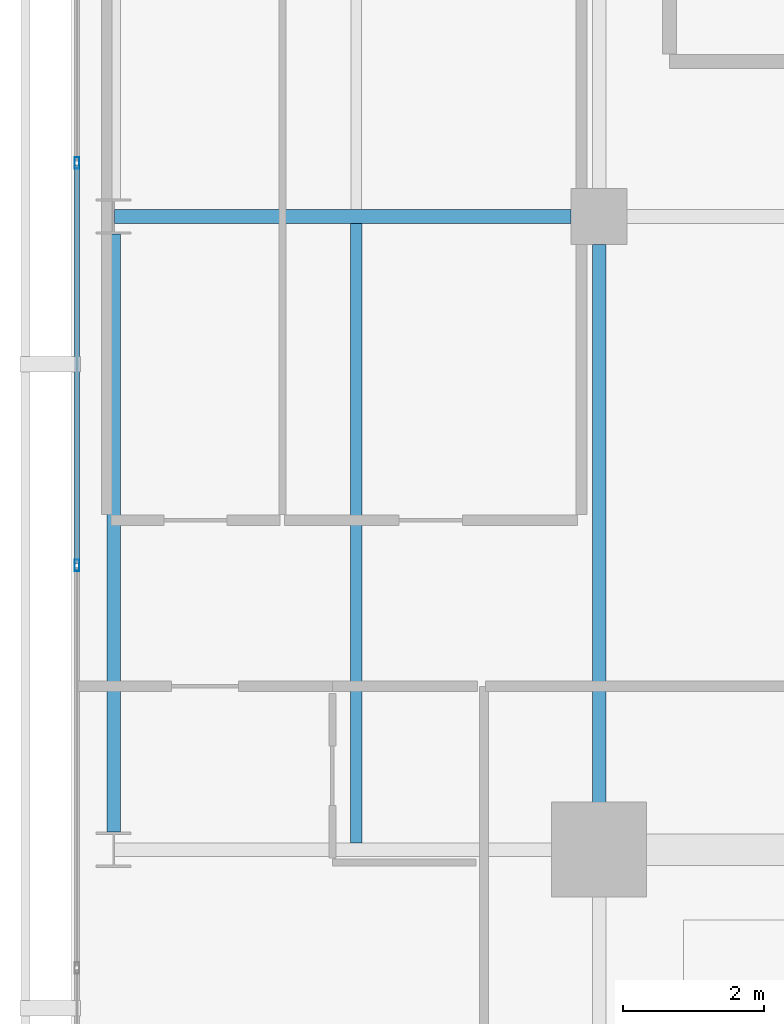
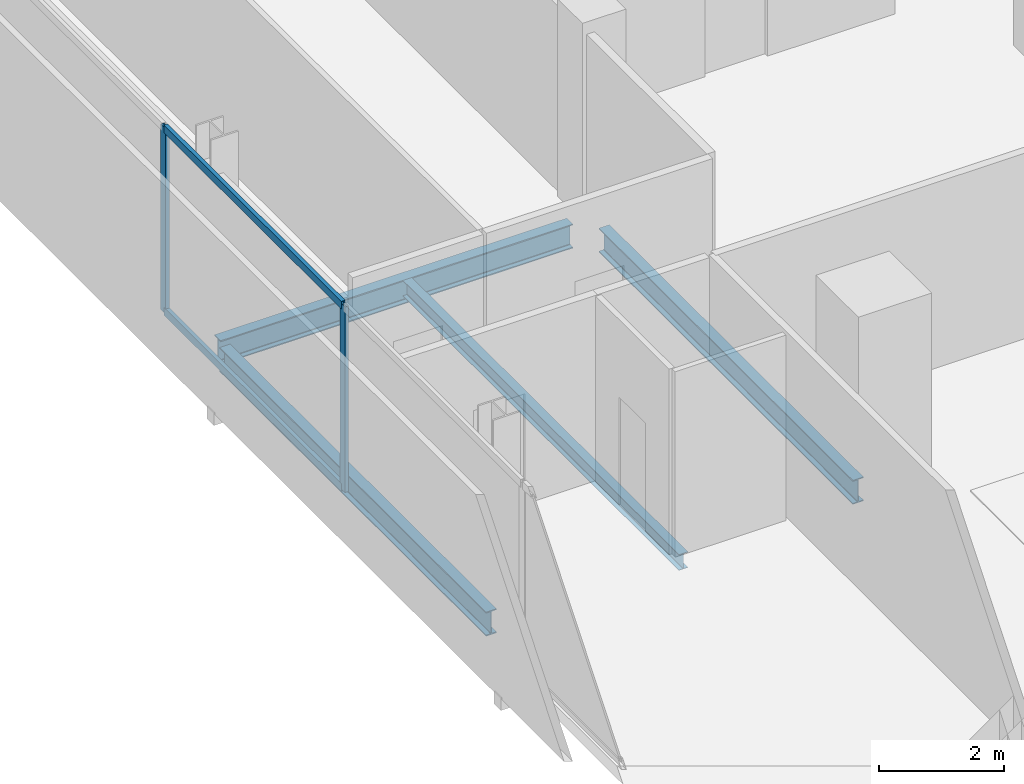
# One storey, part 7 of 23: 4 beams, 4 members, 1 element without a shape of its own.
"""IFC4 building model written with IfcOpenShell, lengths in metres."""

from ifc_helpers import new_model, si_unit, direction, frame, origin, origin_2d, place, context, subcontext, project, spatial, hollow_rectangle, i_section, extrude, material, layer, layer_set, material_profile, profile_set, type_object, element, aggregate, save


model = new_model("IFC4")

# Units and contexts
model_context = context("Model", 3, precision=1e-05, world=origin(), true_north=direction((0.0, 1.0)))
body_context = subcontext(model_context, "Body", "Model", "MODEL_VIEW")
ifc_project = project(units=[si_unit("LENGTHUNIT", "METRE"), si_unit("AREAUNIT", "SQUARE_METRE"), si_unit("VOLUMEUNIT", "CUBIC_METRE"), si_unit("PLANEANGLEUNIT", "RADIAN"), si_unit("MASSUNIT", "GRAM", prefix="KILO")], contexts=[model_context])

# Site, building, storey
site_placement = place(None, origin())
site = spatial("IfcSite", under=ifc_project, at=site_placement, CompositionType="ELEMENT")
building_placement = place(site_placement, origin())
building = spatial("IfcBuilding", under=site, at=building_placement, Name="Maruvema Waterfront Hotel and Observation Tower", CompositionType="ELEMENT")
storey_placement = place(building_placement, frame((0.0, 0.0, 341.25)))
storey = spatial("IfcBuildingStorey", under=building, at=storey_placement, Name="L84", CompositionType="ELEMENT", Elevation=341.25)

# Curtain wall, members
ifc_material_1 = material(Name="Anodised bronze aluminium and solar-control low-E IGU", Category="aluminium")
ifc_layer = layer(ifc_material_1, 0.159912109375, Name="Zone 4 Sky Residence Inner Curtain Wall System CW-05")
ifc_layer_set = layer_set([ifc_layer], Name="Anodised bronze aluminium and solar-control low-E IGU")
curtain_wall_type = type_object("IfcCurtainWallType", Name="Zone 4 Sky Residence Inner Curtain Wall System CW-05", PredefinedType="USERDEFINED", material=ifc_layer_set)
curtain_wall_placement = place(storey_placement, origin())
curtain_wall = element("IfcCurtainWall", 1, at=curtain_wall_placement, inside=storey, type_object=curtain_wall_type, Name="L84 Curtain Wall CW-L84-W", ObjectType="UNITISED CURTAIN WALL", PredefinedType="USERDEFINED")
ifc_material_2 = material(Name="Anodised architectural bronze aluminium", Category="aluminium")
ifc_material_profile_1 = material_profile(ifc_material_2, hollow_rectangle(XDim=0.070068359375, YDim=0.14990234375, WallThickness=0.00390625, at=origin_2d()), Name="ALU-T70x150")
ifc_profile_set_1 = profile_set([ifc_material_profile_1], Name="Anodised architectural bronze aluminium")
member_type_1 = type_object("IfcMemberType", Name="Curtain Wall Horizontal Transom ALU-T70x150", PredefinedType="USERDEFINED", material=ifc_profile_set_1)
member_1_placement = place(storey_placement, frame((17.780029296875, 36.72998046875, 0.030029296875), z_axis=(0.0, -1.0, 0.0), x_axis=(1.0, 0.0, 0.0)))
member_1 = element("IfcMember", 2, at=member_1_placement, type_object=member_type_1, Name="CW-05 transom 3.1", ObjectType="TRANSOM", PredefinedType="USERDEFINED", context=body_context, shape_type="SweptSolid", body=[
    extrude(hollow_rectangle(XDim=0.070068359375, YDim=0.14990234375, WallThickness=0.00390625, at=origin_2d()), origin(), (0.0, 0.0, 1.0), 5.659912109375),
])
member_2_placement = place(storey_placement, frame((17.780029296875, 36.72998046875, 3.580078125), z_axis=(0.0, -1.0, 0.0), x_axis=(1.0, 0.0, 0.0)))
member_2 = element("IfcMember", 3, at=member_2_placement, type_object=member_type_1, Name="CW-05 transom 3.2", ObjectType="TRANSOM", PredefinedType="USERDEFINED", context=body_context, shape_type="SweptSolid", body=[
    extrude(hollow_rectangle(XDim=0.070068359375, YDim=0.14990234375, WallThickness=0.00390625, at=origin_2d()), origin(), (0.0, 0.0, 1.0), 5.659912109375),
])
ifc_material_3 = material(Name="Anodised architectural bronze aluminium", Category="aluminium")
ifc_material_profile_2 = material_profile(ifc_material_3, hollow_rectangle(XDim=0.06494140625, YDim=0.1650390625, WallThickness=0.00390625, at=origin_2d()), Name="ALU-M65x165")
ifc_profile_set_2 = profile_set([ifc_material_profile_2], Name="Anodised architectural bronze aluminium")
member_type_2 = type_object("IfcMemberType", Name="Curtain Wall Primary Mullion ALU-M65x165", PredefinedType="MULLION", material=ifc_profile_set_2)
member_3_placement = place(storey_placement, frame((17.780029296875, 36.760009765625, 0.0), z_axis=(0.0, 0.0, 1.0), x_axis=(1.0, 0.0, 0.0)))
member_3 = element("IfcMember", 4, at=member_3_placement, type_object=member_type_2, Name="CW-05 mullion 3", PredefinedType="MULLION", context=body_context, shape_type="SweptSolid", body=[
    extrude(hollow_rectangle(XDim=0.06494140625, YDim=0.1650390625, WallThickness=0.00390625, at=origin_2d()), origin(), (0.0, 0.0, 1.0), 3.610107421875),
])
member_4_placement = place(storey_placement, frame((17.780029296875, 31.0400390625, 0.0), z_axis=(0.0, 0.0, 1.0), x_axis=(1.0, 0.0, 0.0)))
member_4 = element("IfcMember", 5, at=member_4_placement, type_object=member_type_2, Name="CW-05 mullion 4", PredefinedType="MULLION", context=body_context, shape_type="SweptSolid", body=[
    extrude(hollow_rectangle(XDim=0.06494140625, YDim=0.1650390625, WallThickness=0.00390625, at=origin_2d()), origin(), (0.0, 0.0, 1.0), 3.610107421875),
])
aggregate(curtain_wall, [member_3, member_4, member_1, member_2])

# Beams
ifc_material_4 = material(Name="Steel ASTM A572 Grade 50", Category="steel")
ifc_material_profile_3 = material_profile(ifc_material_4, i_section(OverallWidth=0.194091796875, OverallDepth=0.468994140625, WebThickness=0.0126953125, FlangeThickness=0.0205078125, FilletRadius=0.014892578125, at=origin_2d()), Name="W460x106.0")
ifc_profile_set_3 = profile_set([ifc_material_profile_3], Name="Steel ASTM A572 Grade 50")
beam_type_1 = type_object("IfcBeamType", Name="Primary Floor Girder W460x106.0", PredefinedType="BEAM", material=ifc_profile_set_3)
beam_1_placement = place(storey_placement, frame((18.31103515625, 36.0, -0.474609375), z_axis=(1.0, 0.0, 0.0), x_axis=(0.0, 1.0, 0.0)))
element("IfcBeam", 6, at=beam_1_placement, inside=storey, type_object=beam_type_1, Name="L84 Floor Girder EW-10", PredefinedType="BEAM", context=body_context, shape_type="SweptSolid", body=[
    extrude(i_section(OverallWidth=0.194091796875, OverallDepth=0.468994140625, WebThickness=0.0126953125, FlangeThickness=0.0205078125, FilletRadius=0.014892578125, at=origin_2d()), origin(), (0.0, 0.0, 1.0), 6.489013671875),
])
beam_2_placement = place(storey_placement, frame((18.300048828125, 27.25, -0.474609375), z_axis=(0.0, 1.0, 0.0), x_axis=(-1.0, 0.0, 0.0)))
element("IfcBeam", 7, at=beam_2_placement, inside=storey, type_object=beam_type_1, Name="L84 Floor Girder NS-01", PredefinedType="BEAM", context=body_context, shape_type="SweptSolid", body=[
    extrude(i_section(OverallWidth=0.194091796875, OverallDepth=0.468994140625, WebThickness=0.0126953125, FlangeThickness=0.0205078125, FilletRadius=0.014892578125, at=origin_2d()), origin(), (0.0, 0.0, 1.0), 8.5),
])
beam_3_placement = place(storey_placement, frame((25.199951171875, 27.5, -0.474609375), z_axis=(0.0, 1.0, 0.0), x_axis=(-1.0, 0.0, 0.0)))
element("IfcBeam", 8, at=beam_3_placement, inside=storey, type_object=beam_type_1, Name="L84 Floor Girder NS-05", PredefinedType="BEAM", context=body_context, shape_type="SweptSolid", body=[
    extrude(i_section(OverallWidth=0.194091796875, OverallDepth=0.468994140625, WebThickness=0.0126953125, FlangeThickness=0.0205078125, FilletRadius=0.014892578125, at=origin_2d()), origin(), (0.0, 0.0, 1.0), 8.10009765625),
])
ifc_material_5 = material(Name="Steel ASTM A572 Grade 50", Category="steel")
ifc_material_profile_4 = material_profile(ifc_material_5, i_section(OverallWidth=0.1650390625, OverallDepth=0.31005859375, WebThickness=0.005859375, FlangeThickness=0.009765625, FilletRadius=0.012939453125, at=origin_2d()), Name="W310x38.7")
ifc_profile_set_4 = profile_set([ifc_material_profile_4], Name="Steel ASTM A572 Grade 50")
beam_type_2 = type_object("IfcBeamType", Name="Secondary Floor Joist W310x38.7", PredefinedType="JOIST", material=ifc_profile_set_4)
beam_4_placement = place(storey_placement, frame((21.75, 27.096923828125, -0.39501953125), z_axis=(0.0, 1.0, 0.0), x_axis=(-1.0, 0.0, 0.0)))
element("IfcBeam", 9, at=beam_4_placement, inside=storey, type_object=beam_type_2, Name="L84 Secondary Floor Joist JS-01", PredefinedType="JOIST", context=body_context, shape_type="SweptSolid", body=[
    extrude(i_section(OverallWidth=0.1650390625, OverallDepth=0.31005859375, WebThickness=0.005859375, FlangeThickness=0.009765625, FilletRadius=0.012939453125, at=origin_2d()), origin(), (0.0, 0.0, 1.0), 8.80615234375),
])

save(model, "model.ifc")
